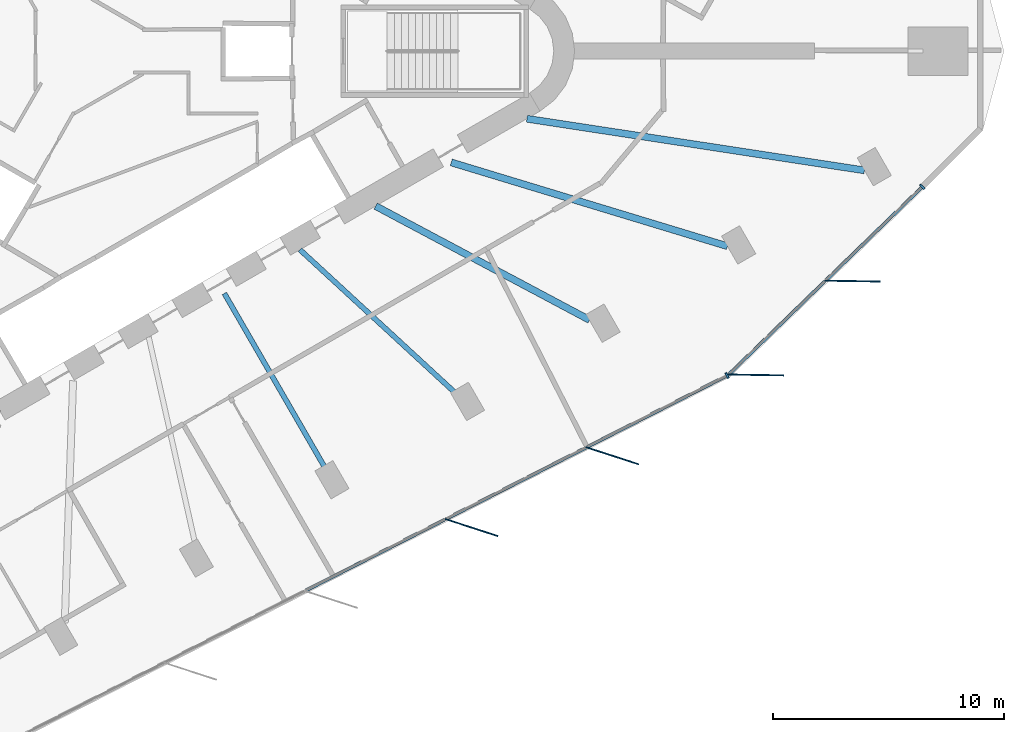
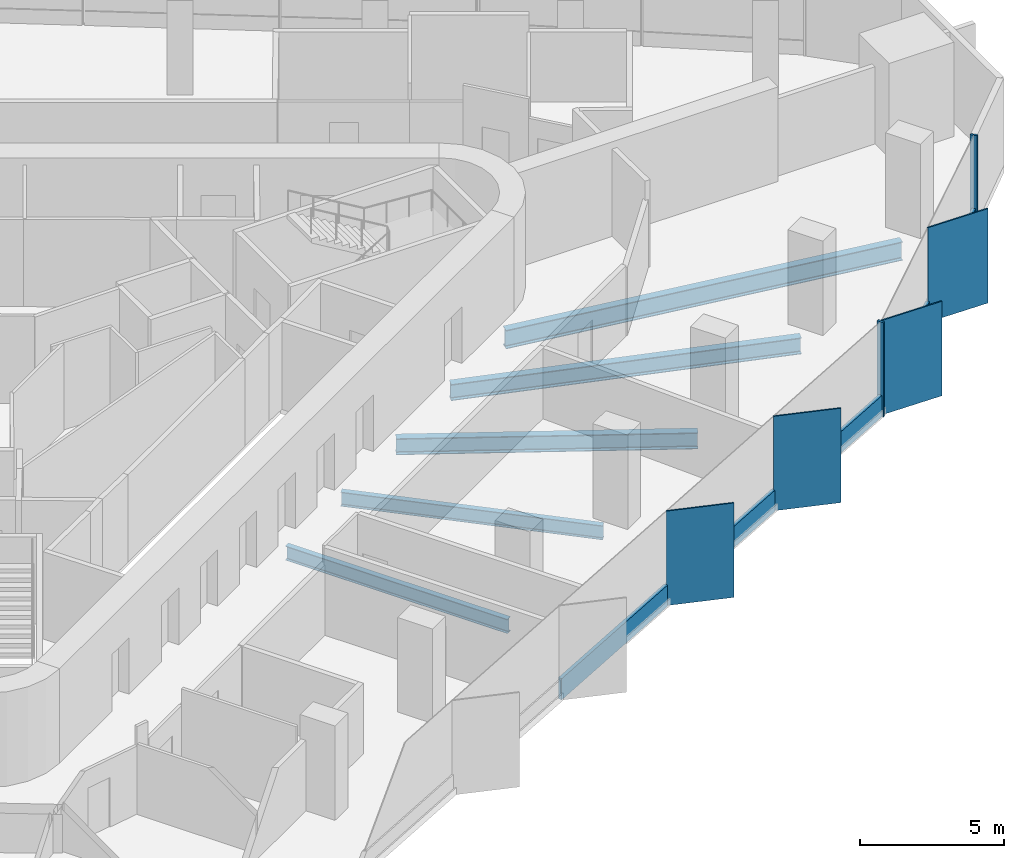
# One storey, part 3 of 14: 11 members, 5 beams, 2 elements without a shape of their own.
"""IFC4 building model written with IfcOpenShell, lengths in metres."""

from ifc_helpers import new_model, si_unit, direction, frame, origin, origin_2d, place, context, subcontext, project, spatial, rectangle, i_section, extrude, material, material_profile, profile_set, type_object, element, aggregate, save


model = new_model("IFC4")

# Units and contexts
model_context = context("Model", 3, precision=1e-05, world=origin(), true_north=direction((0.0, 1.0)))
body_context = subcontext(model_context, "Body", "Model", "MODEL_VIEW")
ifc_project = project(units=[si_unit("LENGTHUNIT", "METRE"), si_unit("AREAUNIT", "SQUARE_METRE"), si_unit("VOLUMEUNIT", "CUBIC_METRE"), si_unit("PLANEANGLEUNIT", "RADIAN"), si_unit("MASSUNIT", "GRAM", prefix="KILO")], contexts=[model_context])

# Site, building, storey
site_placement = place(None, origin())
site = spatial("IfcSite", under=ifc_project, at=site_placement, CompositionType="ELEMENT")
building_placement = place(site_placement, origin())
building = spatial("IfcBuilding", under=site, at=building_placement, Name="Tanit Gate Tower", CompositionType="ELEMENT")
storey_placement = place(building_placement, frame((0.0, 0.0, 253.199951171875)))
storey = spatial("IfcBuildingStorey", under=building, at=storey_placement, Name="L57", CompositionType="ELEMENT", Elevation=253.199951171875)

# Curtain wall, members
ifc_material_1 = material(Name="Aluminium bronze anodised and glass", Category="aluminium")
curtain_wall_type = type_object("IfcCurtainWallType", Name="Curtain wall typical mid", PredefinedType="NOTDEFINED", material=ifc_material_1)
curtain_wall_1_placement = place(storey_placement, origin())
curtain_wall_1 = element("IfcCurtainWall", 1, at=curtain_wall_1_placement, inside=storey, type_object=curtain_wall_type, Name="Curtain wall L57 SE2", PredefinedType="NOTDEFINED")
ifc_material_2 = material(Name="Aluminium bronze anodised", Category="aluminium")
ifc_material_profile_1 = material_profile(ifc_material_2, rectangle(XDim=2.39990234375, YDim=0.055908203125, at=origin_2d()), Name="56x2400 bronze fin mullion")
ifc_profile_set_1 = profile_set([ifc_material_profile_1], Name="Aluminium bronze anodised")
member_type_1 = type_object("IfcMemberType", Name="FIN MULLION 56x2400 bronze", PredefinedType="MULLION", material=ifc_profile_set_1)
member_1_placement = place(storey_placement, frame((16.746337890625, -20.606689453125, -0.300048828125), z_axis=(0.0, 0.0, 1.0), x_axis=(-0.951202192353, 0.308568289465, 0.0)))
member_1 = element("IfcMember", 2, at=member_1_placement, type_object=member_type_1, Name="Fin mullion L57 SE2.4", PredefinedType="MULLION", context=body_context, shape_type="SweptSolid", body=[
    extrude(rectangle(XDim=2.39990234375, YDim=0.055908203125, at=origin_2d()), origin(), (0.0, 0.0, 1.0), 4.0),
])
member_2_placement = place(storey_placement, frame((22.83251953125, -17.501953125, -0.300048828125), z_axis=(0.0, 0.0, 1.0), x_axis=(-0.951202192353, 0.308568289465, 0.0)))
member_2 = element("IfcMember", 3, at=member_2_placement, type_object=member_type_1, Name="Fin mullion L57 SE2.5", PredefinedType="MULLION", context=body_context, shape_type="SweptSolid", body=[
    extrude(rectangle(XDim=2.39990234375, YDim=0.055908203125, at=origin_2d()), origin(), (0.0, 0.0, 1.0), 4.0),
])

curtain_wall_2_placement = place(storey_placement, origin())
curtain_wall_2 = element("IfcCurtainWall", 4, at=curtain_wall_2_placement, inside=storey, type_object=curtain_wall_type, Name="Curtain wall L57 SE3", PredefinedType="NOTDEFINED")
member_3_placement = place(storey_placement, frame((29.040771484375, -14.005615234375, -0.300048828125), z_axis=(0.0, 0.0, 1.0), x_axis=(-0.999880119672, 0.015483742592, 0.0)))
member_3 = element("IfcMember", 5, at=member_3_placement, type_object=member_type_1, Name="Fin mullion L57 SE3.1", PredefinedType="MULLION", context=body_context, shape_type="SweptSolid", body=[
    extrude(rectangle(XDim=2.39990234375, YDim=0.055908203125, at=origin_2d()), origin(), (0.0, 0.0, 1.0), 4.0),
])
member_4_placement = place(storey_placement, frame((33.22705078125, -9.947021484375, -0.300048828125), z_axis=(0.0, 0.0, 1.0), x_axis=(-0.999880119672, 0.015483742592, 0.0)))
member_4 = element("IfcMember", 6, at=member_4_placement, type_object=member_type_1, Name="Fin mullion L57 SE3.2", PredefinedType="MULLION", context=body_context, shape_type="SweptSolid", body=[
    extrude(rectangle(XDim=2.39990234375, YDim=0.055908203125, at=origin_2d()), origin(), (0.0, 0.0, 1.0), 4.0),
])

# Member
ifc_material_3 = material(Name="Aluminium bronze anodised", Category="aluminium")
ifc_material_profile_2 = material_profile(ifc_material_3, rectangle(XDim=0.260009765625, YDim=0.080078125, at=origin_2d()), Name="80x260 bronze mullion")
ifc_profile_set_2 = profile_set([ifc_material_profile_2], Name="Aluminium bronze anodised")
member_type_2 = type_object("IfcMemberType", Name="Mullion 80x260 typical mid", PredefinedType="MULLION", material=ifc_profile_set_2)
member_5_placement = place(storey_placement, frame((27.797607421875, -14.033447265625, -0.300048828125), z_axis=(0.0, 0.0, 1.0), x_axis=(-0.454410790552, 0.890792250432, 0.0)))
member_5 = element("IfcMember", 7, at=member_5_placement, type_object=member_type_2, Name="Mullion L57 SE2.6", PredefinedType="MULLION", context=body_context, shape_type="SweptSolid", body=[
    extrude(rectangle(XDim=0.260009765625, YDim=0.080078125, at=origin_2d()), origin(), (0.0, 0.0, 1.0), 4.0),
])

member_6_placement = place(storey_placement, frame((36.23486328125, -5.8701171875, -0.300048828125), z_axis=(0.0, 0.0, 1.0), x_axis=(-0.696073353609, 0.717970672378, 0.0)))
member_6 = element("IfcMember", 8, at=member_6_placement, type_object=member_type_2, Name="Mullion L57 SE3.3", PredefinedType="MULLION", context=body_context, shape_type="SweptSolid", body=[
    extrude(rectangle(XDim=0.260009765625, YDim=0.080078125, at=origin_2d()), origin(), (0.0, 0.0, 1.0), 4.0),
])

# Beams
ifc_material_4 = material(Name="Steel S355", Category="steel")
ifc_material_profile_3 = material_profile(ifc_material_4, i_section(OverallWidth=0.300048828125, OverallDepth=0.68994140625, WebThickness=0.014404296875, FlangeThickness=0.027099609375, FilletRadius=0.027099609375, at=origin_2d()), Name="HEA 700")
ifc_profile_set_3 = profile_set([ifc_material_profile_3], Name="Steel S355")
beam_type_1 = type_object("IfcBeamType", Name="RADIAL GIRDER HEA 700 S355", PredefinedType="BEAM", material=ifc_profile_set_3)
beam_1_placement = place(storey_placement, frame((21.845947265625, -11.628173828125, -0.64501953125), z_axis=(-0.882742084466, 0.469857863947, 0.0), x_axis=(-0.469857863947, -0.882742084466, 0.0)))
element("IfcBeam", 9, at=beam_1_placement, inside=storey, type_object=beam_type_1, Name="RADIAL GIRDER", PredefinedType="BEAM", context=body_context, shape_type="SweptSolid", body=[
    extrude(i_section(OverallWidth=0.300048828125, OverallDepth=0.68994140625, WebThickness=0.014404296875, FlangeThickness=0.027099609375, FilletRadius=0.027099609375, at=origin_2d()), origin(), (0.0, 0.0, 1.0), 10.4814453125),
])
beam_2_placement = place(storey_placement, frame((27.80810546875, -8.439208984375, -0.64501953125), z_axis=(-0.956906204487, 0.290397169089, 0.0), x_axis=(-0.290397169089, -0.956906204487, 0.0)))
element("IfcBeam", 10, at=beam_2_placement, inside=storey, type_object=beam_type_1, Name="RADIAL GIRDER", PredefinedType="BEAM", context=body_context, shape_type="SweptSolid", body=[
    extrude(i_section(OverallWidth=0.300048828125, OverallDepth=0.68994140625, WebThickness=0.014404296875, FlangeThickness=0.027099609375, FilletRadius=0.027099609375, at=origin_2d()), origin(), (0.0, 0.0, 1.0), 12.481201171875),
])
ifc_material_5 = material(Name="Steel S355", Category="steel")
ifc_material_profile_4 = material_profile(ifc_material_5, i_section(OverallWidth=0.300048828125, OverallDepth=0.7900390625, WebThickness=0.014892578125, FlangeThickness=0.028076171875, FilletRadius=0.030029296875, at=origin_2d()), Name="HEA 800")
ifc_profile_set_4 = profile_set([ifc_material_profile_4], Name="Steel S355")
beam_type_2 = type_object("IfcBeamType", Name="RADIAL GIRDER HEA 800 S355", PredefinedType="BEAM", material=ifc_profile_set_4)
beam_3_placement = place(storey_placement, frame((33.732177734375, -5.157958984375, -0.695068359375), z_axis=(-0.988510058129, 0.151155102389, 0.0), x_axis=(-0.151155102389, -0.988510058129, 0.0)))
element("IfcBeam", 11, at=beam_3_placement, inside=storey, type_object=beam_type_2, Name="RADIAL GIRDER", PredefinedType="BEAM", context=body_context, shape_type="SweptSolid", body=[
    extrude(i_section(OverallWidth=0.300048828125, OverallDepth=0.7900390625, WebThickness=0.014892578125, FlangeThickness=0.028076171875, FilletRadius=0.030029296875, at=origin_2d()), origin(), (0.0, 0.0, 1.0), 14.765869140625),
])
ifc_material_6 = material(Name="Steel S355", Category="steel")
ifc_material_profile_5 = material_profile(ifc_material_6, i_section(OverallWidth=0.219970703125, OverallDepth=0.60009765625, WebThickness=0.011962890625, FlangeThickness=0.01904296875, FilletRadius=0.02392578125, at=origin_2d()), Name="IPE 600")
ifc_profile_set_5 = profile_set([ifc_material_profile_5], Name="Steel S355")
beam_type_3 = type_object("IfcBeamType", Name="RADIAL GIRDER IPE 600 S355", PredefinedType="BEAM", material=ifc_profile_set_5)
beam_4_placement = place(storey_placement, frame((10.49658203125, -18.1806640625, -0.599853515625), z_axis=(-0.499998967409, 0.866025999951, 0.0), x_axis=(-0.866025999951, -0.499998967409, 0.0)))
element("IfcBeam", 12, at=beam_4_placement, inside=storey, type_object=beam_type_3, Name="RADIAL GIRDER", PredefinedType="BEAM", context=body_context, shape_type="SweptSolid", body=[
    extrude(i_section(OverallWidth=0.219970703125, OverallDepth=0.60009765625, WebThickness=0.011962890625, FlangeThickness=0.01904296875, FilletRadius=0.02392578125, at=origin_2d()), origin(), (0.0, 0.0, 1.0), 8.89111328125),
])
beam_5_placement = place(storey_placement, frame((16.17138671875, -14.904296875, -0.599853515625), z_axis=(-0.735338835574, 0.677699636193, 0.0), x_axis=(-0.677699636193, -0.735338835574, 0.0)))
element("IfcBeam", 13, at=beam_5_placement, inside=storey, type_object=beam_type_3, Name="RADIAL GIRDER", PredefinedType="BEAM", context=body_context, shape_type="SweptSolid", body=[
    extrude(i_section(OverallWidth=0.219970703125, OverallDepth=0.60009765625, WebThickness=0.011962890625, FlangeThickness=0.01904296875, FilletRadius=0.02392578125, at=origin_2d()), origin(), (0.0, 0.0, 1.0), 9.314208984375),
])

# Member
ifc_material_7 = material(Name="Aluminium bronze anodised", Category="aluminium")
ifc_material_profile_6 = material_profile(ifc_material_7, rectangle(XDim=0.139892578125, YDim=0.89990234375, at=origin_2d()), Name="140x900 bronze transom")
ifc_profile_set_6 = profile_set([ifc_material_profile_6], Name="Aluminium bronze anodised")
member_type_3 = type_object("IfcMemberType", Name="Transom 140x900 typical mid", PredefinedType="USERDEFINED", material=ifc_profile_set_6)
member_7_placement = place(storey_placement, frame((9.57421875, -23.32958984375, 0.150146484375), z_axis=(0.890782479191, 0.454429944839, 0.0), x_axis=(-0.454429944839, 0.890782479191, 0.0)))
member_7 = element("IfcMember", 14, at=member_7_placement, type_object=member_type_3, Name="Transom L57 SE2.3", ObjectType="TRANSOM", PredefinedType="USERDEFINED", context=body_context, shape_type="SweptSolid", body=[
    extrude(rectangle(XDim=0.139892578125, YDim=0.89990234375, at=origin_2d()), origin(), (0.0, 0.0, 1.0), 6.752685546875),
])

member_8_placement = place(storey_placement, frame((15.66064453125, -20.224853515625, 0.150146484375), z_axis=(0.890782479191, 0.454429944839, 0.0), x_axis=(-0.454429944839, 0.890782479191, 0.0)))
member_8 = element("IfcMember", 15, at=member_8_placement, type_object=member_type_3, Name="Transom L57 SE2.4", ObjectType="TRANSOM", PredefinedType="USERDEFINED", context=body_context, shape_type="SweptSolid", body=[
    extrude(rectangle(XDim=0.139892578125, YDim=0.89990234375, at=origin_2d()), origin(), (0.0, 0.0, 1.0), 6.752685546875),
])

member_9_placement = place(storey_placement, frame((21.7470703125, -17.119873046875, 0.150146484375), z_axis=(0.890789648628, 0.454415890894, 0.0), x_axis=(-0.454415890894, 0.890789648628, 0.0)))
member_9 = element("IfcMember", 16, at=member_9_placement, type_object=member_type_3, Name="Transom L57 SE2.5", ObjectType="TRANSOM", PredefinedType="USERDEFINED", context=body_context, shape_type="SweptSolid", body=[
    extrude(rectangle(XDim=0.139892578125, YDim=0.89990234375, at=origin_2d()), origin(), (0.0, 0.0, 1.0), 6.752197265625),
])

aggregate(curtain_wall_1, [member_1, member_2, member_5, member_7, member_8, member_9])

member_10_placement = place(storey_placement, frame((27.890625, -13.95947265625, 0.150146484375), z_axis=(0.717974969404, 0.696068921378, 0.0), x_axis=(-0.696068921378, 0.717974969404, 0.0)))
member_10 = element("IfcMember", 17, at=member_10_placement, type_object=member_type_3, Name="Transom L57 SE3.1", ObjectType="TRANSOM", PredefinedType="USERDEFINED", context=body_context, shape_type="SweptSolid", body=[
    extrude(rectangle(XDim=0.139892578125, YDim=0.89990234375, at=origin_2d()), origin(), (0.0, 0.0, 1.0), 5.750732421875),
])

member_11_placement = place(storey_placement, frame((32.0771484375, -9.90087890625, 0.150146484375), z_axis=(0.717974969404, 0.696068921378, 0.0), x_axis=(-0.696068921378, 0.717974969404, 0.0)))
member_11 = element("IfcMember", 18, at=member_11_placement, type_object=member_type_3, Name="Transom L57 SE3.2", ObjectType="TRANSOM", PredefinedType="USERDEFINED", context=body_context, shape_type="SweptSolid", body=[
    extrude(rectangle(XDim=0.139892578125, YDim=0.89990234375, at=origin_2d()), origin(), (0.0, 0.0, 1.0), 5.750732421875),
])

aggregate(curtain_wall_2, [member_3, member_4, member_6, member_10, member_11])

save(model, "model.ifc")
